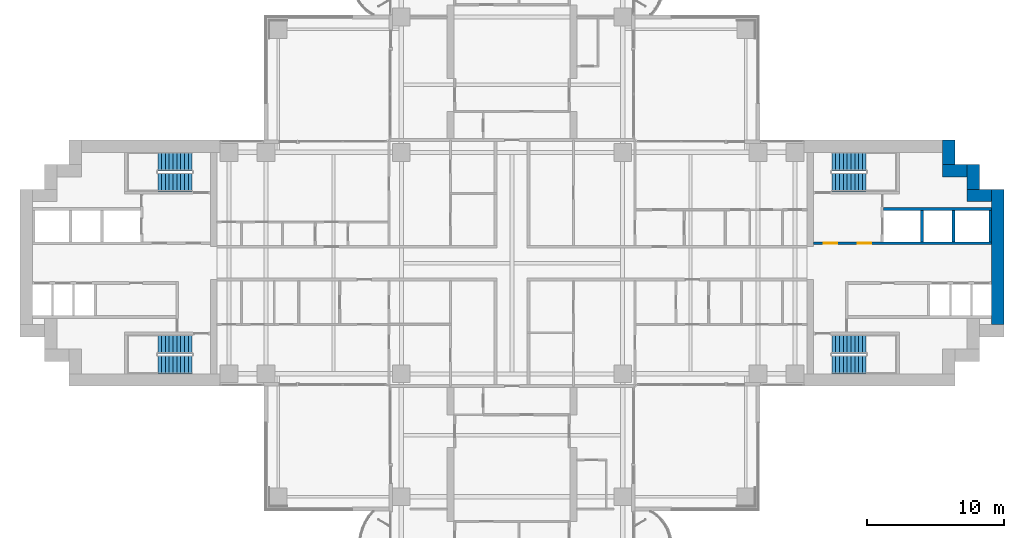
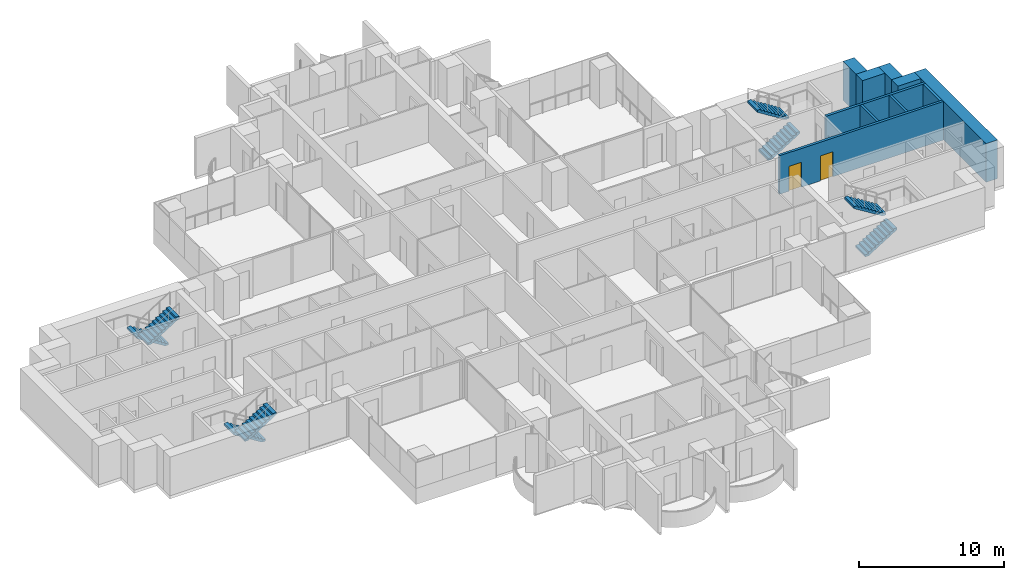
# One storey, part 16 of 21: 10 walls, 8 stair flights, 2 doors, 2 openings, 4 elements without a shape of their own.
"""IFC4 building model written with IfcOpenShell, lengths in metres."""

from ifc_helpers import new_model, si_unit, direction, frame, frame_2d, origin, place, context, subcontext, project, spatial, polyline, rectangle, outline, extrude, material, layer, layer_set, type_object, element, fill, aggregate, save


model = new_model("IFC4")

# Units and contexts
model_context = context("Model", 3, precision=1e-05, world=origin(), true_north=direction((0.0, 1.0)))
body_context = subcontext(model_context, "Body", "Model", "MODEL_VIEW")
ifc_project = project(units=[si_unit("LENGTHUNIT", "METRE"), si_unit("AREAUNIT", "SQUARE_METRE"), si_unit("VOLUMEUNIT", "CUBIC_METRE"), si_unit("PLANEANGLEUNIT", "RADIAN"), si_unit("MASSUNIT", "GRAM", prefix="KILO")], contexts=[model_context])

# Site, building, storey
site_placement = place(None, origin())
site = spatial("IfcSite", under=ifc_project, at=site_placement, CompositionType="ELEMENT")
building_placement = place(site_placement, origin())
building = spatial("IfcBuilding", under=site, at=building_placement, Name="Perihelion Cross Residences", CompositionType="ELEMENT")
storey_placement = place(building_placement, frame((0.0, 0.0, 47.0)))
storey = spatial("IfcBuildingStorey", under=building, at=storey_placement, Name="L08", CompositionType="ELEMENT", Elevation=47.0)

# Walls
ifc_material_1 = material(Name="Concrete C60/75", Category="concrete")
ifc_layer_1 = layer(ifc_material_1, 0.89990234375)
ifc_layer_set_1 = layer_set([ifc_layer_1], Name="Core wall, outer 900")
wall_type_1 = type_object("IfcWallType", Name="Core wall, outer 900", PredefinedType="SHEAR", material=ifc_layer_set_1)
wall_1_placement = place(storey_placement, frame((35.550048828125, -4.5, 0.0), z_axis=(0.0, 0.0, 1.0), x_axis=(0.0, 1.0, 0.0)))
element("IfcWall", 1, at=wall_1_placement, inside=storey, type_object=wall_type_1, Name="East core core wall, outer", PredefinedType="SHEAR", context=body_context, shape_type="SweptSolid", body=[
    extrude(rectangle(XDim=9.89990234375, YDim=0.89990234375, at=frame_2d((4.949951171875, 0.0))), origin(), (0.0, 0.0, 1.0), 3.25),
])
for number, where, z_axis, x_axis, name in (
    (2, (33.300048828125, 4.949951171875, 0.0), (0.0, 0.0, 1.0), (1.0, 0.0, 0.0), "East core core wall, outer"),
    (3, (33.75, 5.39990234375, 0.0), (0.0, 0.0, 1.0), (0.0, 1.0, 0.0), "East core core wall, outer"),
    (4, (31.5, 6.75, 0.0), (0.0, 0.0, 1.0), (1.0, 0.0, 0.0), "East core core wall, outer"),
    (5, (31.949951171875, 7.199951171875, 0.0), (0.0, 0.0, 1.0), (0.0, 1.0, 0.0), "East core core wall, outer"),
):
    element("IfcWall", number, at=place(storey_placement, frame(where, z_axis=z_axis, x_axis=x_axis)), inside=storey, type_object=wall_type_1, Name=name, PredefinedType="SHEAR", context=body_context, shape_type="SweptSolid", body=[
        extrude(rectangle(XDim=1.800048828125, YDim=0.89990234375, at=frame_2d((0.89990234375, 0.0))), origin(), (0.0, 0.0, 1.0), 3.25),
    ])

# Wall, openings, doors
ifc_material_2 = material(Name="Concrete C50/60", Category="concrete")
ifc_layer_2 = layer(ifc_material_2, 0.199951171875)
ifc_layer_set_2 = layer_set([ifc_layer_2], Name="Shaft wall 200")
wall_type_2 = type_object("IfcWallType", Name="Shaft wall 200", PredefinedType="SOLIDWALL", material=ifc_layer_set_2)
wall_2_placement = place(storey_placement, frame((22.050048828125, 1.449951171875, 0.0), z_axis=(0.0, 0.0, 1.0), x_axis=(1.0, 0.0, 0.0)))
wall_2 = element("IfcWall", 6, at=wall_2_placement, inside=storey, type_object=wall_type_2, Name="East core shaft wall", PredefinedType="SOLIDWALL", context=body_context, shape_type="SweptSolid", body=[
    extrude(rectangle(XDim=13.050048828125, YDim=0.199951171875, at=frame_2d((6.52490234375, 0.0))), origin(), (0.0, 0.0, 1.0), 3.25),
])
opening_1_placement = place(wall_2_placement, frame((0.75, 0.0, 0.0)))
opening_1 = element("IfcOpeningElement", 7, at=opening_1_placement, cuts=wall_2, Name="Opening L08.C07", PredefinedType="OPENING", context=body_context, shape_type="SweptSolid", body=[
    extrude(rectangle(XDim=1.0, YDim=2.10009765625, at=frame_2d((0.5, 1.050048828125))), frame((0.0, 0.10986328125, 0.0), z_axis=(0.0, -1.0, 0.0), x_axis=(1.0, 0.0, 0.0)), (0.0, 0.0, 1.0), 0.219970703125),
])
opening_2_placement = place(wall_2_placement, frame((3.25, 0.0, 0.0)))
opening_2 = element("IfcOpeningElement", 8, at=opening_2_placement, cuts=wall_2, Name="Opening L08.C09", PredefinedType="OPENING", context=body_context, shape_type="SweptSolid", body=[
    extrude(rectangle(XDim=1.0, YDim=2.10009765625, at=frame_2d((0.5, 1.050048828125))), frame((0.0, 0.10986328125, 0.0), z_axis=(0.0, -1.0, 0.0), x_axis=(1.0, 0.0, 0.0)), (0.0, 0.0, 1.0), 0.219970703125),
])
ifc_material_3 = material(Name="Steel, powder coated", Category="steel")
door_type = type_object("IfcDoorType", Name="Lobby door 1000", OperationType="SINGLE_SWING_LEFT", PredefinedType="DOOR", material=ifc_material_3)
door_1_placement = place(opening_1_placement, origin())
door_1 = element("IfcDoor", 9, at=door_1_placement, inside=storey, type_object=door_type, Name="East core firefighting lobby door", OperationType="SINGLE_SWING_LEFT", OverallHeight=2.10009765625, OverallWidth=1.0, PredefinedType="DOOR", context=body_context, shape_type="SweptSolid", body=[
    extrude(rectangle(XDim=1.0, YDim=2.10009765625, at=frame_2d((0.5, 1.050048828125))), frame((0.0, 0.02490234375, 0.0), z_axis=(0.0, -1.0, 0.0), x_axis=(1.0, 0.0, 0.0)), (0.0, 0.0, 1.0), 0.050048828125),
])
fill(opening_1, door_1)
door_2_placement = place(opening_2_placement, origin())
door_2 = element("IfcDoor", 10, at=door_2_placement, inside=storey, type_object=door_type, Name="East core firefighting lobby door", OperationType="SINGLE_SWING_LEFT", OverallHeight=2.10009765625, OverallWidth=1.0, PredefinedType="DOOR", context=body_context, shape_type="SweptSolid", body=[
    extrude(rectangle(XDim=1.0, YDim=2.10009765625, at=frame_2d((0.5, 1.050048828125))), frame((0.0, 0.02490234375, 0.0), z_axis=(0.0, -1.0, 0.0), x_axis=(1.0, 0.0, 0.0)), (0.0, 0.0, 1.0), 0.050048828125),
])
fill(opening_2, door_2)

# Walls
wall_3_placement = place(storey_placement, frame((27.199951171875, 3.949951171875, 0.0), z_axis=(0.0, 0.0, 1.0), x_axis=(1.0, 0.0, 0.0)))
element("IfcWall", 11, at=wall_3_placement, inside=storey, type_object=wall_type_2, Name="East core shaft wall", PredefinedType="SOLIDWALL", context=body_context, shape_type="SweptSolid", body=[
    extrude(rectangle(XDim=7.900146484375, YDim=0.199951171875, at=frame_2d((3.9501953125, 0.0))), origin(), (0.0, 0.0, 1.0), 3.25),
])
for number, where, z_axis, x_axis, name in (
    (12, (30.0, 1.550048828125, 0.0), (0.0, 0.0, 1.0), (0.0, 1.0, 0.0), "East core shaft wall"),
    (13, (32.300048828125, 1.550048828125, 0.0), (0.0, 0.0, 1.0), (0.0, 1.0, 0.0), "East core shaft wall"),
    (14, (35.0, 1.550048828125, 0.0), (0.0, 0.0, 1.0), (0.0, 1.0, 0.0), "East core shaft wall"),
):
    element("IfcWall", number, at=place(storey_placement, frame(where, z_axis=z_axis, x_axis=x_axis)), inside=storey, type_object=wall_type_2, Name=name, PredefinedType="SOLIDWALL", context=body_context, shape_type="SweptSolid", body=[
        extrude(rectangle(XDim=2.300048828125, YDim=0.199951171875, at=frame_2d((1.14990234375, 0.0))), origin(), (0.0, 0.0, 1.0), 3.25),
    ])

# Stair, stair flights
ifc_material_4 = material(Name="Concrete C40/50", Category="concrete")
stair_type = type_object("IfcStairType", Name="Exit stair, half-turn", PredefinedType="HALF_TURN_STAIR", material=ifc_material_4)
stair_1_placement = place(storey_placement, origin())
stair_1 = element("IfcStair", 15, at=stair_1_placement, inside=storey, type_object=stair_type, Name="L08 East core exit stair 1", PredefinedType="HALF_TURN_STAIR")
ifc_material_5 = material(Name="Concrete C40/50", Category="concrete")
stair_flight_type = type_object("IfcStairFlightType", Name="Exit stair flight", PredefinedType="STRAIGHT", material=ifc_material_5)
stair_flight_1_placement = place(storey_placement, frame((23.39990234375, 5.925048828125, 0.0), z_axis=(0.0, 0.0, 1.0), x_axis=(1.0, 0.0, 0.0)))
stair_flight_1 = element("IfcStairFlight", 16, at=stair_flight_1_placement, type_object=stair_flight_type, Name="ST-E1 flight 1", NumberOfRisers=10, NumberOfTreads=9, PredefinedType="STRAIGHT", RiserHeight=0.175, TreadLength=0.28, context=body_context, shape_type="SweptSolid", body=[
    extrude(outline(polyline([(0.0, 0.0), (0.0, 0.175048828125), (0.280029296875, 0.175048828125), (0.280029296875, 0.35009765625), (0.56005859375, 0.35009765625), (0.56005859375, 0.52490234375), (0.840087890625, 0.52490234375), (0.840087890625, 0.699951171875), (1.1201171875, 0.699951171875), (1.1201171875, 0.875), (1.39990234375, 0.875), (1.39990234375, 1.050048828125), (1.679931640625, 1.050048828125), (1.679931640625, 1.22509765625), (1.9599609375, 1.22509765625), (1.9599609375, 1.39990234375), (2.239990234375, 1.39990234375), (2.239990234375, 1.574951171875), (2.52001953125, 1.574951171875), (2.52001953125, 1.75), (2.52001953125, 1.398193359375), (0.28271484375, 0.0), (0.0, 0.0)])), frame((0.0, 0.675048828125, 0.0), z_axis=(0.0, -1.0, 0.0), x_axis=(1.0, 0.0, 0.0)), (0.0, 0.0, 1.0), 1.35009765625),
])
stair_flight_2_placement = place(storey_placement, frame((25.919921875, 7.425048828125, 1.75), z_axis=(0.0, 0.0, 1.0), x_axis=(-1.0, 0.0, 0.0)))
stair_flight_2 = element("IfcStairFlight", 17, at=stair_flight_2_placement, type_object=stair_flight_type, Name="ST-E1 flight 2", NumberOfRisers=10, NumberOfTreads=9, PredefinedType="STRAIGHT", RiserHeight=0.175, TreadLength=0.28, context=body_context, shape_type="SweptSolid", body=[
    extrude(outline(polyline([(0.0, 0.0), (0.0, 0.175048828125), (0.280029296875, 0.175048828125), (0.280029296875, 0.35009765625), (0.56005859375, 0.35009765625), (0.56005859375, 0.52490234375), (0.840087890625, 0.52490234375), (0.840087890625, 0.699951171875), (1.1201171875, 0.699951171875), (1.1201171875, 0.875), (1.39990234375, 0.875), (1.39990234375, 1.050048828125), (1.679931640625, 1.050048828125), (1.679931640625, 1.22509765625), (1.9599609375, 1.22509765625), (1.9599609375, 1.39990234375), (2.239990234375, 1.39990234375), (2.239990234375, 1.574951171875), (2.52001953125, 1.574951171875), (2.52001953125, 1.75), (2.52001953125, 1.398193359375), (0.28271484375, 0.0), (0.0, 0.0)])), frame((0.0, 0.675048828125, 0.0), z_axis=(0.0, -1.0, 0.0), x_axis=(1.0, 0.0, 0.0)), (0.0, 0.0, 1.0), 1.35009765625),
])
aggregate(stair_1, [stair_flight_1, stair_flight_2])

stair_2_placement = place(storey_placement, origin())
stair_2 = element("IfcStair", 18, at=stair_2_placement, inside=storey, type_object=stair_type, Name="L08 East core exit stair 2", PredefinedType="HALF_TURN_STAIR")
stair_flight_3_placement = place(storey_placement, frame((23.39990234375, -7.425048828125, 0.0), z_axis=(0.0, 0.0, 1.0), x_axis=(1.0, 0.0, 0.0)))
stair_flight_3 = element("IfcStairFlight", 19, at=stair_flight_3_placement, type_object=stair_flight_type, Name="ST-E2 flight 1", NumberOfRisers=10, NumberOfTreads=9, PredefinedType="STRAIGHT", RiserHeight=0.175, TreadLength=0.28, context=body_context, shape_type="SweptSolid", body=[
    extrude(outline(polyline([(0.0, 0.0), (0.0, 0.175048828125), (0.280029296875, 0.175048828125), (0.280029296875, 0.35009765625), (0.56005859375, 0.35009765625), (0.56005859375, 0.52490234375), (0.840087890625, 0.52490234375), (0.840087890625, 0.699951171875), (1.1201171875, 0.699951171875), (1.1201171875, 0.875), (1.39990234375, 0.875), (1.39990234375, 1.050048828125), (1.679931640625, 1.050048828125), (1.679931640625, 1.22509765625), (1.9599609375, 1.22509765625), (1.9599609375, 1.39990234375), (2.239990234375, 1.39990234375), (2.239990234375, 1.574951171875), (2.52001953125, 1.574951171875), (2.52001953125, 1.75), (2.52001953125, 1.398193359375), (0.28271484375, 0.0), (0.0, 0.0)])), frame((0.0, 0.675048828125, 0.0), z_axis=(0.0, -1.0, 0.0), x_axis=(1.0, 0.0, 0.0)), (0.0, 0.0, 1.0), 1.35009765625),
])
stair_flight_4_placement = place(storey_placement, frame((25.919921875, -5.925048828125, 1.75), z_axis=(0.0, 0.0, 1.0), x_axis=(-1.0, 0.0, 0.0)))
stair_flight_4 = element("IfcStairFlight", 20, at=stair_flight_4_placement, type_object=stair_flight_type, Name="ST-E2 flight 2", NumberOfRisers=10, NumberOfTreads=9, PredefinedType="STRAIGHT", RiserHeight=0.175, TreadLength=0.28, context=body_context, shape_type="SweptSolid", body=[
    extrude(outline(polyline([(0.0, 0.0), (0.0, 0.175048828125), (0.280029296875, 0.175048828125), (0.280029296875, 0.35009765625), (0.56005859375, 0.35009765625), (0.56005859375, 0.52490234375), (0.840087890625, 0.52490234375), (0.840087890625, 0.699951171875), (1.1201171875, 0.699951171875), (1.1201171875, 0.875), (1.39990234375, 0.875), (1.39990234375, 1.050048828125), (1.679931640625, 1.050048828125), (1.679931640625, 1.22509765625), (1.9599609375, 1.22509765625), (1.9599609375, 1.39990234375), (2.239990234375, 1.39990234375), (2.239990234375, 1.574951171875), (2.52001953125, 1.574951171875), (2.52001953125, 1.75), (2.52001953125, 1.398193359375), (0.28271484375, 0.0), (0.0, 0.0)])), frame((0.0, 0.675048828125, 0.0), z_axis=(0.0, -1.0, 0.0), x_axis=(1.0, 0.0, 0.0)), (0.0, 0.0, 1.0), 1.35009765625),
])
aggregate(stair_2, [stair_flight_3, stair_flight_4])

stair_3_placement = place(storey_placement, origin())
stair_3 = element("IfcStair", 21, at=stair_3_placement, inside=storey, type_object=stair_type, Name="L08 West core exit stair 1", PredefinedType="HALF_TURN_STAIR")
stair_flight_5_placement = place(storey_placement, frame((-23.39990234375, 7.425048828125, 0.0), z_axis=(0.0, 0.0, 1.0), x_axis=(-1.0, 0.0, 0.0)))
stair_flight_5 = element("IfcStairFlight", 22, at=stair_flight_5_placement, type_object=stair_flight_type, Name="ST-W1 flight 1", NumberOfRisers=10, NumberOfTreads=9, PredefinedType="STRAIGHT", RiserHeight=0.175, TreadLength=0.28, context=body_context, shape_type="SweptSolid", body=[
    extrude(outline(polyline([(0.0, 0.0), (0.0, 0.175048828125), (0.280029296875, 0.175048828125), (0.280029296875, 0.35009765625), (0.56005859375, 0.35009765625), (0.56005859375, 0.52490234375), (0.840087890625, 0.52490234375), (0.840087890625, 0.699951171875), (1.1201171875, 0.699951171875), (1.1201171875, 0.875), (1.39990234375, 0.875), (1.39990234375, 1.050048828125), (1.679931640625, 1.050048828125), (1.679931640625, 1.22509765625), (1.9599609375, 1.22509765625), (1.9599609375, 1.39990234375), (2.239990234375, 1.39990234375), (2.239990234375, 1.574951171875), (2.52001953125, 1.574951171875), (2.52001953125, 1.75), (2.52001953125, 1.398193359375), (0.28271484375, 0.0), (0.0, 0.0)])), frame((0.0, 0.675048828125, 0.0), z_axis=(0.0, -1.0, 0.0), x_axis=(1.0, 0.0, 0.0)), (0.0, 0.0, 1.0), 1.35009765625),
])
stair_flight_6_placement = place(storey_placement, frame((-25.919921875, 5.925048828125, 1.75), z_axis=(0.0, 0.0, 1.0), x_axis=(1.0, 0.0, 0.0)))
stair_flight_6 = element("IfcStairFlight", 23, at=stair_flight_6_placement, type_object=stair_flight_type, Name="ST-W1 flight 2", NumberOfRisers=10, NumberOfTreads=9, PredefinedType="STRAIGHT", RiserHeight=0.175, TreadLength=0.28, context=body_context, shape_type="SweptSolid", body=[
    extrude(outline(polyline([(0.0, 0.0), (0.0, 0.175048828125), (0.280029296875, 0.175048828125), (0.280029296875, 0.35009765625), (0.56005859375, 0.35009765625), (0.56005859375, 0.52490234375), (0.840087890625, 0.52490234375), (0.840087890625, 0.699951171875), (1.1201171875, 0.699951171875), (1.1201171875, 0.875), (1.39990234375, 0.875), (1.39990234375, 1.050048828125), (1.679931640625, 1.050048828125), (1.679931640625, 1.22509765625), (1.9599609375, 1.22509765625), (1.9599609375, 1.39990234375), (2.239990234375, 1.39990234375), (2.239990234375, 1.574951171875), (2.52001953125, 1.574951171875), (2.52001953125, 1.75), (2.52001953125, 1.398193359375), (0.28271484375, 0.0), (0.0, 0.0)])), frame((0.0, 0.675048828125, 0.0), z_axis=(0.0, -1.0, 0.0), x_axis=(1.0, 0.0, 0.0)), (0.0, 0.0, 1.0), 1.35009765625),
])
aggregate(stair_3, [stair_flight_5, stair_flight_6])

stair_4_placement = place(storey_placement, origin())
stair_4 = element("IfcStair", 24, at=stair_4_placement, inside=storey, type_object=stair_type, Name="L08 West core exit stair 2", PredefinedType="HALF_TURN_STAIR")
stair_flight_7_placement = place(storey_placement, frame((-23.39990234375, -5.925048828125, 0.0), z_axis=(0.0, 0.0, 1.0), x_axis=(-1.0, 0.0, 0.0)))
stair_flight_7 = element("IfcStairFlight", 25, at=stair_flight_7_placement, type_object=stair_flight_type, Name="ST-W2 flight 1", NumberOfRisers=10, NumberOfTreads=9, PredefinedType="STRAIGHT", RiserHeight=0.175, TreadLength=0.28, context=body_context, shape_type="SweptSolid", body=[
    extrude(outline(polyline([(0.0, 0.0), (0.0, 0.175048828125), (0.280029296875, 0.175048828125), (0.280029296875, 0.35009765625), (0.56005859375, 0.35009765625), (0.56005859375, 0.52490234375), (0.840087890625, 0.52490234375), (0.840087890625, 0.699951171875), (1.1201171875, 0.699951171875), (1.1201171875, 0.875), (1.39990234375, 0.875), (1.39990234375, 1.050048828125), (1.679931640625, 1.050048828125), (1.679931640625, 1.22509765625), (1.9599609375, 1.22509765625), (1.9599609375, 1.39990234375), (2.239990234375, 1.39990234375), (2.239990234375, 1.574951171875), (2.52001953125, 1.574951171875), (2.52001953125, 1.75), (2.52001953125, 1.398193359375), (0.28271484375, 0.0), (0.0, 0.0)])), frame((0.0, 0.675048828125, 0.0), z_axis=(0.0, -1.0, 0.0), x_axis=(1.0, 0.0, 0.0)), (0.0, 0.0, 1.0), 1.35009765625),
])
stair_flight_8_placement = place(storey_placement, frame((-25.919921875, -7.425048828125, 1.75), z_axis=(0.0, 0.0, 1.0), x_axis=(1.0, 0.0, 0.0)))
stair_flight_8 = element("IfcStairFlight", 26, at=stair_flight_8_placement, type_object=stair_flight_type, Name="ST-W2 flight 2", NumberOfRisers=10, NumberOfTreads=9, PredefinedType="STRAIGHT", RiserHeight=0.175, TreadLength=0.28, context=body_context, shape_type="SweptSolid", body=[
    extrude(outline(polyline([(0.0, 0.0), (0.0, 0.175048828125), (0.280029296875, 0.175048828125), (0.280029296875, 0.35009765625), (0.56005859375, 0.35009765625), (0.56005859375, 0.52490234375), (0.840087890625, 0.52490234375), (0.840087890625, 0.699951171875), (1.1201171875, 0.699951171875), (1.1201171875, 0.875), (1.39990234375, 0.875), (1.39990234375, 1.050048828125), (1.679931640625, 1.050048828125), (1.679931640625, 1.22509765625), (1.9599609375, 1.22509765625), (1.9599609375, 1.39990234375), (2.239990234375, 1.39990234375), (2.239990234375, 1.574951171875), (2.52001953125, 1.574951171875), (2.52001953125, 1.75), (2.52001953125, 1.398193359375), (0.28271484375, 0.0), (0.0, 0.0)])), frame((0.0, 0.675048828125, 0.0), z_axis=(0.0, -1.0, 0.0), x_axis=(1.0, 0.0, 0.0)), (0.0, 0.0, 1.0), 1.35009765625),
])
aggregate(stair_4, [stair_flight_7, stair_flight_8])

save(model, "model.ifc")
